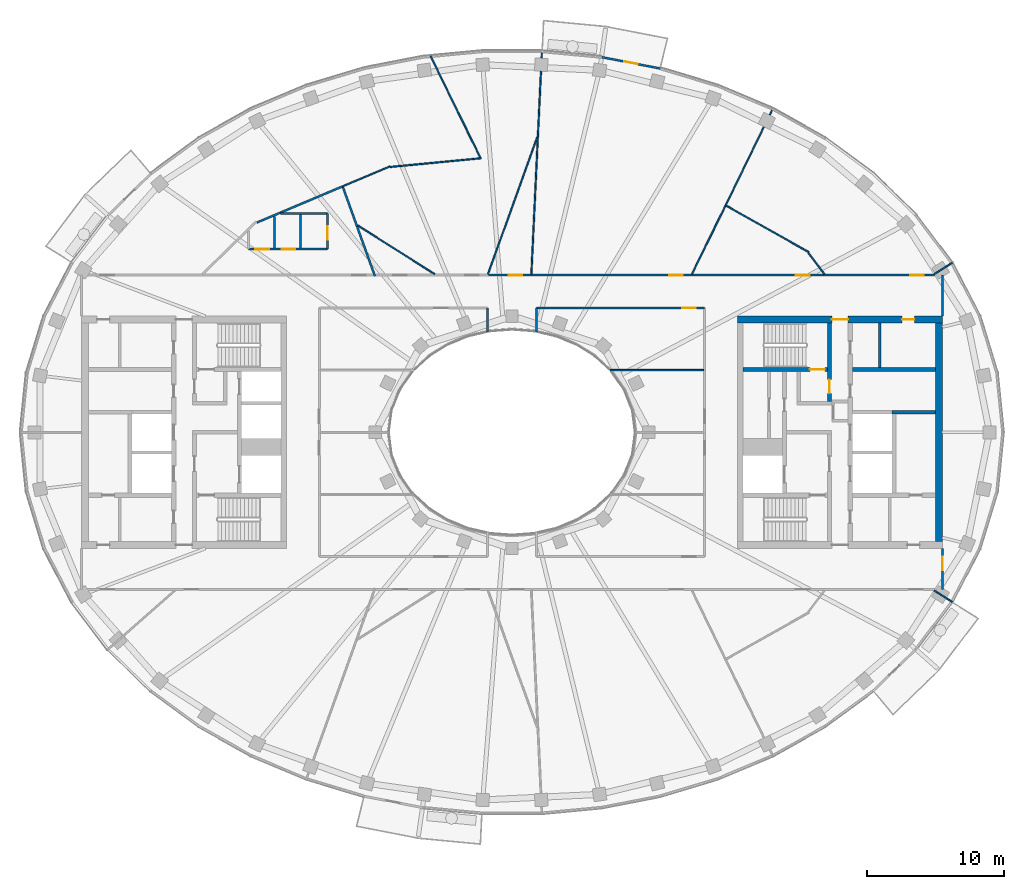
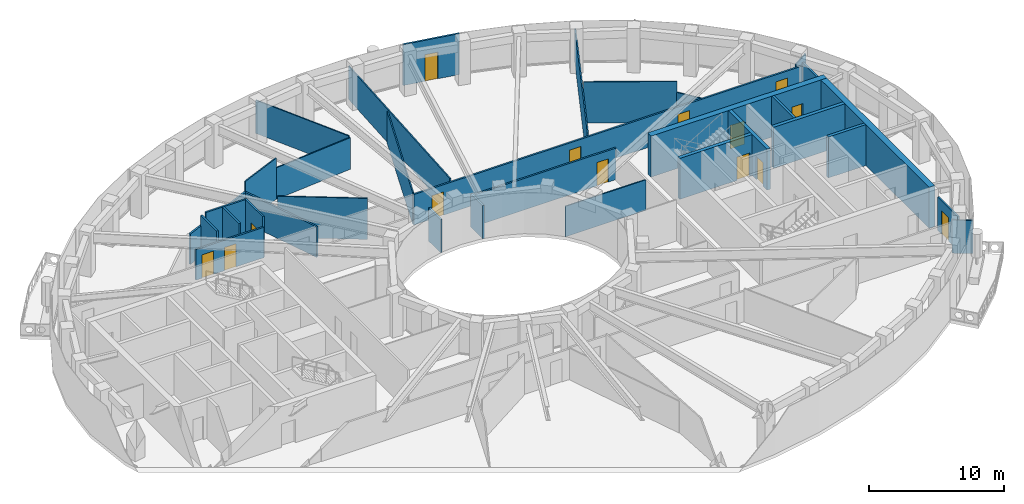
# One storey, part 6 of 16: 33 walls, 14 doors, 14 openings.
"""IFC4 building model written with IfcOpenShell, lengths in metres."""

import ifcopenshell
import ifcopenshell.guid

model = None  # the IFC model being written
_history = None  # IfcOwnerHistory: only IFC2X3 demands one
_inside = {}  # id of a spatial element -> (the spatial element, [elements in it])
_under = {}  # id of a project, library or spatial element -> (it, [spatial elements below it])
_declared = {}  # id of a project -> (the project, [libraries it declares])
_typed = {}  # id of a type object -> (the type object, [elements of that type])
_made_of = {}  # id of a material, layer set ... -> (it, [elements and type objects made of it])


def new_model(schema):
    """Start an empty IFC model of exactly this schema.

    Asked for "IFC4X3", IfcOpenShell would pick the latest addendum, in which some entities
    have other attributes; the version numbers below select the first issue.
    IFC2X3 requires an IfcOwnerHistory on every rooted entity: one is made here for all.
    """
    global model, _history
    if schema == "IFC4X3":
        model = ifcopenshell.file(schema_version=(4, 3, 0, 0))
    else:
        model = ifcopenshell.file(schema=schema)
    _inside.clear()
    _under.clear()
    _declared.clear()
    _typed.clear()
    _made_of.clear()
    _history = None
    if model.schema == "IFC2X3":
        org = make("IfcOrganization", Name="unknown")
        user = make(
            "IfcPersonAndOrganization",
            ThePerson=make("IfcPerson", FamilyName="unknown"),
            TheOrganization=org,
        )
        app = make(
            "IfcApplication",
            ApplicationDeveloper=org,
            Version="unknown",
            ApplicationFullName="unknown",
            ApplicationIdentifier="unknown",
        )
        _history = make(
            "IfcOwnerHistory",
            OwningUser=user,
            OwningApplication=app,
            ChangeAction="ADDED",
            CreationDate=0,
        )
    return model


def make(cls, **values):
    """One entity of the class cls with the attributes given. An attribute that is None is left unset."""
    return model.create_entity(
        cls, **{name: value for name, value in values.items() if value is not None}
    )


def rooted(cls, **values):
    """An entity with a GlobalId (a new one), such as an element, a storey or a relation."""
    return make(cls, GlobalId=ifcopenshell.guid.new(), OwnerHistory=_history, **values)


def si_unit(unit_type, name, prefix=None):
    """IfcSIUnit, for example si_unit("LENGTHUNIT", "METRE", prefix="MILLI")."""
    return make("IfcSIUnit", UnitType=unit_type, Prefix=prefix, Name=name)


def assignment(units):
    """IfcUnitAssignment: the units of a project."""
    return None if units is None else make("IfcUnitAssignment", Units=units)


def point(xyz):
    """IfcCartesianPoint."""
    return None if xyz is None else make("IfcCartesianPoint", Coordinates=xyz)


def direction(xyz):
    """IfcDirection."""
    return None if xyz is None else make("IfcDirection", DirectionRatios=xyz)


def frame(location, z_axis=None, x_axis=None):
    """IfcAxis2Placement3D, a coordinate frame: its origin and axes. An axis left out is left unset."""
    return make(
        "IfcAxis2Placement3D",
        Location=point(location),
        Axis=direction(z_axis),
        RefDirection=direction(x_axis),
    )


def frame_2d(location, x_axis=None):
    """IfcAxis2Placement2D, a coordinate frame in the plane: its origin and x axis."""
    return make(
        "IfcAxis2Placement2D", Location=point(location), RefDirection=direction(x_axis)
    )


def origin():
    """The frame at (0, 0, 0) with its axes left unset."""
    return frame((0.0, 0.0, 0.0))


def place(relative_to, where):
    """IfcLocalPlacement: puts the frame where relative to a parent placement (None: the world)."""
    return make(
        "IfcLocalPlacement", PlacementRelTo=relative_to, RelativePlacement=where
    )


def context(
    kind, dimensions, precision=None, world=None, true_north=None, identifier=None
):
    """IfcGeometricRepresentationContext, for example the 3D "Model" context."""
    return make(
        "IfcGeometricRepresentationContext",
        ContextIdentifier=identifier,
        ContextType=kind,
        CoordinateSpaceDimension=dimensions,
        Precision=precision,
        WorldCoordinateSystem=world,
        TrueNorth=true_north,
    )


def subcontext(parent, identifier, kind, view, scale=None):
    """IfcGeometricRepresentationSubContext, for example "Body" below "Model"."""
    return make(
        "IfcGeometricRepresentationSubContext",
        ContextIdentifier=identifier,
        ContextType=kind,
        ParentContext=parent,
        TargetScale=scale,
        TargetView=view,
    )


def project(units=None, contexts=None):
    """IfcProject with its units and contexts."""
    return rooted(
        "IfcProject",
        Name="project",
        RepresentationContexts=contexts,
        UnitsInContext=assignment(units),
    )


def spatial(cls, under=None, at=None, **own):
    """A site, building, storey or space (cls), placed at a placement, below another one or the project."""
    s = rooted(cls, ObjectPlacement=at, **own)
    if under is not None:
        _under.setdefault(under.id(), (under, []))[1].append(s)
    return s


def profile(cls, at=None, kind="AREA", **sizes):
    """A parametric profile (cls). Its sizes go by their IFC names, for example OverallWidth=200.0."""
    return make(cls, ProfileType=kind, Position=at, **sizes)


def rectangle(**sizes):
    """IfcRectangleProfileDef."""
    return profile("IfcRectangleProfileDef", **sizes)


def extrude(swept, where, along, depth):
    """IfcExtrudedAreaSolid: the profile swept, set in the frame where, extruded along a direction by depth."""
    return make(
        "IfcExtrudedAreaSolid",
        SweptArea=swept,
        Position=where,
        ExtrudedDirection=direction(along),
        Depth=depth,
    )


def shape(context_of_items, identifier, shape_type, items):
    """IfcShapeRepresentation: the items that make up one representation, for example the "Body"."""
    return make(
        "IfcShapeRepresentation",
        ContextOfItems=context_of_items,
        RepresentationIdentifier=identifier,
        RepresentationType=shape_type,
        Items=items,
    )


def material(Name=None, Category=None):
    """IfcMaterial."""
    return make("IfcMaterial", Name=Name, Category=Category)


def layer(
    of_material, thickness, ventilated=None, Name=None, Category=None, Priority=None
):
    """IfcMaterialLayer: one layer of a wall or slab, of a material (None: an air gap)."""
    return make(
        "IfcMaterialLayer",
        Material=of_material,
        LayerThickness=thickness,
        IsVentilated=ventilated,
        Name=Name,
        Category=Category,
        Priority=Priority,
    )


def layer_set(layers, Name=None):
    """IfcMaterialLayerSet."""
    return make("IfcMaterialLayerSet", MaterialLayers=layers, LayerSetName=Name)


def made_of(thing, what):
    """Note that an element or type object is made of a material, layer set ...; save() writes the relation."""
    if what is not None:
        _made_of.setdefault(what.id(), (what, []))[1].append(thing)
    return thing


def type_object(cls, material=None, **own):
    """A type object (cls), such as IfcWallType, which elements share."""
    return made_of(rooted(cls, **own), material)


def element(
    cls,
    number,
    at=None,
    inside=None,
    cuts=None,
    type_object=None,
    material=None,
    context=None,
    identifier="Body",
    shape_type=None,
    held_by="IfcProductDefinitionShape",
    body=None,
    shapes=None,
    **own,
):
    """One element of the class cls, such as IfcWall. Its Tag is "e" and its number.

    at: its placement. inside: the storey or other place that contains it. cuts: it is an
    opening in that element (IfcRelVoidsElement). A single representation is given by context,
    identifier, shape_type and body (its items); several are given by shapes. held_by: the class
    of the entity that holds the representations. save() writes the other relations.
    """
    e = rooted(cls, Tag="e%d" % number, ObjectPlacement=at, **own)
    if body is not None:
        shapes = [shape(context, identifier, shape_type, body)]
    if shapes is not None:
        e.Representation = make(held_by, Representations=shapes)
    if inside is not None:
        _inside.setdefault(inside.id(), (inside, []))[1].append(e)
    if cuts is not None:
        rooted(
            "IfcRelVoidsElement", RelatingBuildingElement=cuts, RelatedOpeningElement=e
        )
    if type_object is not None:
        _typed.setdefault(type_object.id(), (type_object, []))[1].append(e)
    return made_of(e, material)


def fill(opening, filler):
    """IfcRelFillsElement: the door or window that sits in an opening."""
    return rooted(
        "IfcRelFillsElement",
        RelatingOpeningElement=opening,
        RelatedBuildingElement=filler,
    )


def aggregate(whole, parts):
    """IfcRelAggregates: a whole, such as a stair, and the parts it consists of."""
    return rooted("IfcRelAggregates", RelatingObject=whole, RelatedObjects=parts)


def save(model, path):
    """Write the relations noted so far, then the file.

    IfcRelAggregates (storeys below a building ...), IfcRelContainedInSpatialStructure (elements
    in a storey), IfcRelDefinesByType, IfcRelAssociatesMaterial and IfcRelDeclares: one each for
    every whole, place, type object, material and project.
    """
    for whole, parts in _under.values():
        aggregate(whole, parts)
    for where, things in _inside.values():
        rooted(
            "IfcRelContainedInSpatialStructure",
            RelatedElements=things,
            RelatingStructure=where,
        )
    for kind, things in _typed.values():
        rooted("IfcRelDefinesByType", RelatedObjects=things, RelatingType=kind)
    for what, things in _made_of.values():
        rooted("IfcRelAssociatesMaterial", RelatedObjects=things, RelatingMaterial=what)
    for by, libraries in _declared.values():
        rooted("IfcRelDeclares", RelatingContext=by, RelatedDefinitions=libraries)
    model.write(path)


model = new_model("IFC4")

# Units and contexts
model_context = context("Model", 3, precision=1e-05, world=origin(), true_north=direction((0.0, 1.0)))
body_context = subcontext(model_context, "Body", "Model", "MODEL_VIEW")
ifc_project = project(units=[si_unit("LENGTHUNIT", "METRE"), si_unit("AREAUNIT", "SQUARE_METRE"), si_unit("VOLUMEUNIT", "CUBIC_METRE"), si_unit("PLANEANGLEUNIT", "RADIAN"), si_unit("MASSUNIT", "GRAM", prefix="KILO")], contexts=[model_context])

# Site, building, storey
site_placement = place(None, origin())
site = spatial("IfcSite", under=ifc_project, at=site_placement, CompositionType="ELEMENT")
building_placement = place(site_placement, origin())
building = spatial("IfcBuilding", under=site, at=building_placement, Name="Noorbagh Ring Tower", CompositionType="ELEMENT")
storey_placement = place(building_placement, frame((0.0, 0.0, 303.0)))
storey = spatial("IfcBuildingStorey", under=building, at=storey_placement, Name="L65", CompositionType="ELEMENT", Elevation=303.0)

# Walls
ifc_material_1 = material(Name="Gypsum board on steel studs", Category="steel")
ifc_layer_1 = layer(ifc_material_1, 0.199951171875)
ifc_layer_set_1 = layer_set([ifc_layer_1], Name="Gypsum board on steel studs")
wall_type_1 = type_object("IfcWallType", Name="CORE-PARTITION-200", PredefinedType="PARTITIONING", material=ifc_layer_set_1)
wall_1_placement = place(storey_placement, frame((26.89990234375, 4.75, 0.0), z_axis=(0.0, 0.0, 1.0), x_axis=(0.0, 1.0, 0.0)))
element("IfcWall", 1, at=wall_1_placement, inside=storey, type_object=wall_type_1, Name="Core partition E", PredefinedType="PARTITIONING", context=body_context, shape_type="SweptSolid", body=[
    extrude(rectangle(XDim=3.25, YDim=0.199951171875, at=frame_2d((1.625, 0.0))), origin(), (0.0, 0.0, 1.0), 3.699951171875),
])
ifc_material_2 = material(Name="Concrete C50/60", Category="concrete")
ifc_layer_2 = layer(ifc_material_2, 0.25)
ifc_layer_set_2 = layer_set([ifc_layer_2], Name="Concrete C50/60")
wall_type_2 = type_object("IfcWallType", Name="CORE-WALL-250-C50-60-EI120", PredefinedType="SHEAR", material=ifc_layer_set_2)
wall_2_placement = place(storey_placement, frame((27.800048828125, 1.47509765625, 0.0), z_axis=(0.0, 0.0, 1.0), x_axis=(1.0, 0.0, 0.0)))
element("IfcWall", 2, at=wall_2_placement, inside=storey, type_object=wall_type_2, Name="Core wall E", PredefinedType="SHEAR", context=body_context, shape_type="SweptSolid", body=[
    extrude(rectangle(XDim=3.199951171875, YDim=0.25, at=frame_2d((1.60009765625, 0.0))), origin(), (0.0, 0.0, 1.0), 3.699951171875),
])
ifc_material_3 = material(Name="Concrete C50/60", Category="concrete")
ifc_layer_3 = layer(ifc_material_3, 0.300048828125)
ifc_layer_set_3 = layer_set([ifc_layer_3], Name="Concrete C50/60")
wall_type_3 = type_object("IfcWallType", Name="CORE-WALL-300-C50-60-EI240", PredefinedType="SHEAR", material=ifc_layer_set_3)
wall_3_placement = place(storey_placement, frame((24.89990234375, 4.60009765625, 0.0), z_axis=(0.0, 0.0, 1.0), x_axis=(1.0, 0.0, 0.0)))
element("IfcWall", 3, at=wall_3_placement, inside=storey, type_object=wall_type_3, Name="Core wall E", PredefinedType="SHEAR", context=body_context, shape_type="SweptSolid", body=[
    extrude(rectangle(XDim=6.10009765625, YDim=0.300048828125, at=frame_2d((3.050048828125, 0.0))), origin(), (0.0, 0.0, 1.0), 3.699951171875),
])

# Wall, opening, door
wall_4_placement = place(storey_placement, frame((23.22998046875, 2.25, 0.0), z_axis=(0.0, 0.0, 1.0), x_axis=(0.0, 1.0, 0.0)))
wall_4 = element("IfcWall", 4, at=wall_4_placement, inside=storey, type_object=wall_type_3, Name="Core wall E", PredefinedType="SHEAR", context=body_context, shape_type="SweptSolid", body=[
    extrude(rectangle(XDim=5.75, YDim=0.300048828125, at=frame_2d((2.875, 0.0))), origin(), (0.0, 0.0, 1.0), 3.699951171875),
])
opening_1_placement = place(wall_4_placement, frame((0.60009765625, 0.0, 0.0)))
opening_1 = element("IfcOpeningElement", 5, at=opening_1_placement, cuts=wall_4, Name="Opening L65-CE07", PredefinedType="OPENING", context=body_context, shape_type="SweptSolid", body=[
    extrude(rectangle(XDim=1.0, YDim=2.10009765625, at=frame_2d((0.5, 1.050048828125))), frame((0.0, 0.16015625, 0.0), z_axis=(0.0, -1.0, 0.0), x_axis=(1.0, 0.0, 0.0)), (0.0, 0.0, 1.0), 0.320068359375),
])
ifc_material_4 = material(Name="Steel door leaf", Category="steel")
door_type_1 = type_object("IfcDoorType", Name="CORE-DOOR-DVEST", OperationType="SINGLE_SWING_LEFT", PredefinedType="DOOR", material=ifc_material_4)
door_1_placement = place(opening_1_placement, origin())
door_1 = element("IfcDoor", 6, at=door_1_placement, inside=storey, type_object=door_type_1, Name="Stair vestibule door L65-CE07", OperationType="SINGLE_SWING_RIGHT", OverallHeight=2.10009765625, OverallWidth=1.0, PredefinedType="DOOR", context=body_context, shape_type="SweptSolid", body=[
    extrude(rectangle(XDim=1.0, YDim=2.10009765625, at=frame_2d((0.5, 1.050048828125))), frame((0.0, 0.02490234375, 0.0), z_axis=(0.0, -1.0, 0.0), x_axis=(1.0, 0.0, 0.0)), (0.0, 0.0, 1.0), 0.050048828125),
])
fill(opening_1, door_1)

wall_5_placement = place(storey_placement, frame((16.89990234375, 4.60009765625, 0.0), z_axis=(0.0, 0.0, 1.0), x_axis=(1.0, 0.0, 0.0)))
wall_5 = element("IfcWall", 7, at=wall_5_placement, inside=storey, type_object=wall_type_3, Name="Core wall E", PredefinedType="SHEAR", context=body_context, shape_type="SweptSolid", body=[
    extrude(rectangle(XDim=6.18017578125, YDim=0.300048828125, at=frame_2d((3.090087890625, 0.0))), origin(), (0.0, 0.0, 1.0), 3.699951171875),
])
opening_2_placement = place(wall_5_placement, frame((4.89990234375, 0.0, 0.0)))
opening_2 = element("IfcOpeningElement", 8, at=opening_2_placement, cuts=wall_5, Name="Opening L65-CE04", PredefinedType="OPENING", context=body_context, shape_type="SweptSolid", body=[
    extrude(rectangle(XDim=1.10009765625, YDim=2.10009765625, at=frame_2d((0.550048828125, 1.050048828125))), frame((0.0, 0.16015625, 0.0), z_axis=(0.0, -1.0, 0.0), x_axis=(1.0, 0.0, 0.0)), (0.0, 0.0, 1.0), 0.320068359375),
])
ifc_material_5 = material(Name="Steel door leaf", Category="steel")
door_type_2 = type_object("IfcDoorType", Name="CORE-DOOR-DSTAIR", OperationType="SINGLE_SWING_LEFT", PredefinedType="DOOR", material=ifc_material_5)
door_2_placement = place(opening_2_placement, origin())
door_2 = element("IfcDoor", 9, at=door_2_placement, inside=storey, type_object=door_type_2, Name="Stair door ST3 L65-CE04", OperationType="SINGLE_SWING_LEFT", OverallHeight=2.10009765625, OverallWidth=1.10009765625, PredefinedType="DOOR", context=body_context, shape_type="SweptSolid", body=[
    extrude(rectangle(XDim=1.10009765625, YDim=2.10009765625, at=frame_2d((0.550048828125, 1.050048828125))), frame((0.0, 0.02490234375, 0.0), z_axis=(0.0, -1.0, 0.0), x_axis=(1.0, 0.0, 0.0)), (0.0, 0.0, 1.0), 0.050048828125),
])
fill(opening_2, door_2)

# Wall, openings, doors
ifc_material_6 = material(Name="Concrete C50/60", Category="concrete")
ifc_layer_4 = layer(ifc_material_6, 0.5)
ifc_layer_set_4 = layer_set([ifc_layer_4], Name="Concrete C50/60")
wall_type_4 = type_object("IfcWallType", Name="CORE-WALL-500-C50-60-EI240", PredefinedType="SHEAR", material=ifc_layer_set_4)
wall_6_placement = place(storey_placement, frame((16.5, 8.25, 0.0), z_axis=(0.0, 0.0, 1.0), x_axis=(1.0, 0.0, 0.0)))
wall_6 = element("IfcWall", 10, at=wall_6_placement, inside=storey, type_object=wall_type_4, Name="Core wall E", PredefinedType="SHEAR", context=body_context, shape_type="SweptSolid", body=[
    extrude(rectangle(XDim=15.0, YDim=0.5, at=frame_2d((7.5, 0.0))), origin(), (0.0, 0.0, 1.0), 3.699951171875),
])
opening_3_placement = place(wall_6_placement, frame((6.89990234375, 0.0, 0.0)))
opening_3 = element("IfcOpeningElement", 11, at=opening_3_placement, cuts=wall_6, Name="Opening L65-CE08", PredefinedType="OPENING", context=body_context, shape_type="SweptSolid", body=[
    extrude(rectangle(XDim=1.199951171875, YDim=2.10009765625, at=frame_2d((0.60009765625, 1.050048828125))), frame((0.0, 0.260009765625, 0.0), z_axis=(0.0, -1.0, 0.0), x_axis=(1.0, 0.0, 0.0)), (0.0, 0.0, 1.0), 0.52001953125),
])
opening_4_placement = place(wall_6_placement, frame((12.050048828125, 0.0, 0.0)))
opening_4 = element("IfcOpeningElement", 12, at=opening_4_placement, cuts=wall_6, Name="Opening L65-CE14", PredefinedType="OPENING", context=body_context, shape_type="SweptSolid", body=[
    extrude(rectangle(XDim=0.89990234375, YDim=2.10009765625, at=frame_2d((0.449951171875, 1.050048828125))), frame((0.0, 0.260009765625, 0.0), z_axis=(0.0, -1.0, 0.0), x_axis=(1.0, 0.0, 0.0)), (0.0, 0.0, 1.0), 0.52001953125),
])
ifc_material_7 = material(Name="Steel door leaf", Category="steel")
door_type_3 = type_object("IfcDoorType", Name="CORE-DOOR-DROOM", OperationType="SINGLE_SWING_LEFT", PredefinedType="DOOR", material=ifc_material_7)
door_3_placement = place(opening_4_placement, origin())
door_3 = element("IfcDoor", 13, at=door_3_placement, inside=storey, type_object=door_type_3, Name="Core room door L65-CE14", OperationType="SINGLE_SWING_LEFT", OverallHeight=2.10009765625, OverallWidth=0.89990234375, PredefinedType="DOOR", context=body_context, shape_type="SweptSolid", body=[
    extrude(rectangle(XDim=0.89990234375, YDim=2.10009765625, at=frame_2d((0.449951171875, 1.050048828125))), frame((0.0, 0.02490234375, 0.0), z_axis=(0.0, -1.0, 0.0), x_axis=(1.0, 0.0, 0.0)), (0.0, 0.0, 1.0), 0.050048828125),
])
fill(opening_4, door_3)
ifc_material_8 = material(Name="Steel door leaf", Category="steel")
door_type_4 = type_object("IfcDoorType", Name="CORE-DOOR-PORT", OperationType="DOUBLE_DOOR_DOUBLE_SWING", PredefinedType="DOOR", material=ifc_material_8)
door_4_placement = place(opening_3_placement, origin())
door_4 = element("IfcDoor", 14, at=door_4_placement, inside=storey, type_object=door_type_4, Name="Core entrance door L65-CE08", OperationType="DOUBLE_DOOR_DOUBLE_SWING", OverallHeight=2.10009765625, OverallWidth=1.199951171875, PredefinedType="DOOR", context=body_context, shape_type="SweptSolid", body=[
    extrude(rectangle(XDim=1.199951171875, YDim=2.10009765625, at=frame_2d((0.60009765625, 1.050048828125))), frame((0.0, 0.02490234375, 0.0), z_axis=(0.0, -1.0, 0.0), x_axis=(1.0, 0.0, 0.0)), (0.0, 0.0, 1.0), 0.050048828125),
])
fill(opening_3, door_4)

# Wall
wall_7_placement = place(storey_placement, frame((31.25, -8.0, 0.0), z_axis=(0.0, 0.0, 1.0), x_axis=(0.0, 1.0, 0.0)))
element("IfcWall", 15, at=wall_7_placement, inside=storey, type_object=wall_type_4, Name="Core wall E", PredefinedType="SHEAR", context=body_context, shape_type="SweptSolid", body=[
    extrude(rectangle(XDim=16.0, YDim=0.5, at=frame_2d((8.0, 0.0))), origin(), (0.0, 0.0, 1.0), 3.699951171875),
])

# Wall, openings, doors
ifc_material_9 = material(Name="Gypsum board on steel studs", Category="steel")
ifc_layer_5 = layer(ifc_material_9, 0.14990234375)
ifc_layer_set_5 = layer_set([ifc_layer_5], Name="Gypsum board on steel studs")
wall_type_5 = type_object("IfcWallType", Name="CORRIDOR PARTITION 150 EI 30", PredefinedType="PARTITIONING", material=ifc_layer_set_5)
wall_8_placement = place(storey_placement, frame((-19.291015625, 13.39990234375, 0.0), z_axis=(0.0, 0.0, 1.0), x_axis=(1.0, 0.0, 0.0)))
wall_8 = element("IfcWall", 16, at=wall_8_placement, inside=storey, type_object=wall_type_5, Name="L65/wall/P09", PredefinedType="PARTITIONING", context=body_context, shape_type="SweptSolid", body=[
    extrude(rectangle(XDim=5.800048828125, YDim=0.14990234375, at=frame_2d((2.89990234375, 0.0))), origin(), (0.0, 0.0, 1.0), 2.75),
])
opening_5_placement = place(wall_8_placement, frame((2.427978515625, 0.0, 0.0)))
opening_5 = element("IfcOpeningElement", 17, at=opening_5_placement, cuts=wall_8, Name="Opening D3", PredefinedType="OPENING", context=body_context, shape_type="SweptSolid", body=[
    extrude(rectangle(XDim=1.0, YDim=2.10009765625, at=frame_2d((0.5, 1.050048828125))), frame((0.0, 0.0849609375, 0.0), z_axis=(0.0, -1.0, 0.0), x_axis=(1.0, 0.0, 0.0)), (0.0, 0.0, 1.0), 0.169921875),
])
opening_6_placement = place(wall_8_placement, frame((0.513916015625, 0.0, 0.0)))
opening_6 = element("IfcOpeningElement", 18, at=opening_6_placement, cuts=wall_8, Name="Opening D3", PredefinedType="OPENING", context=body_context, shape_type="SweptSolid", body=[
    extrude(rectangle(XDim=1.0, YDim=2.10009765625, at=frame_2d((0.5, 1.050048828125))), frame((0.0, 0.0849609375, 0.0), z_axis=(0.0, -1.0, 0.0), x_axis=(1.0, 0.0, 0.0)), (0.0, 0.0, 1.0), 0.169921875),
])
ifc_material_10 = material(Name="Timber, painted", Category="wood")
door_type_5 = type_object("IfcDoorType", Name="DOOR 1000 X 2100 WC", OperationType="SINGLE_SWING_LEFT", PredefinedType="DOOR", material=ifc_material_10)
door_5_placement = place(opening_5_placement, origin())
door_5 = element("IfcDoor", 19, at=door_5_placement, inside=storey, type_object=door_type_5, Name="L65-D03", OperationType="SINGLE_SWING_LEFT", OverallHeight=2.10009765625, OverallWidth=1.0, PredefinedType="DOOR", context=body_context, shape_type="SweptSolid", body=[
    extrude(rectangle(XDim=1.0, YDim=2.10009765625, at=frame_2d((0.5, 1.050048828125))), frame((0.0, 0.02490234375, 0.0), z_axis=(0.0, -1.0, 0.0), x_axis=(1.0, 0.0, 0.0)), (0.0, 0.0, 1.0), 0.050048828125),
])
fill(opening_5, door_5)
door_6_placement = place(opening_6_placement, origin())
door_6 = element("IfcDoor", 20, at=door_6_placement, inside=storey, type_object=door_type_5, Name="L65-D04", OperationType="SINGLE_SWING_RIGHT", OverallHeight=2.10009765625, OverallWidth=1.0, PredefinedType="DOOR", context=body_context, shape_type="SweptSolid", body=[
    extrude(rectangle(XDim=1.0, YDim=2.10009765625, at=frame_2d((0.5, 1.050048828125))), frame((0.0, 0.02490234375, 0.0), z_axis=(0.0, -1.0, 0.0), x_axis=(1.0, 0.0, 0.0)), (0.0, 0.0, 1.0), 0.050048828125),
])
fill(opening_6, door_6)

# Walls
wall_9_placement = place(storey_placement, frame((-18.6689453125, 15.35009765625, 0.0), z_axis=(0.0, 0.0, 1.0), x_axis=(0.9212963597, 0.388861180376, 0.0)))
element("IfcWall", 21, at=wall_9_placement, inside=storey, type_object=wall_type_5, Name="L65/wall/P10", PredefinedType="PARTITIONING", context=body_context, shape_type="SweptSolid", body=[
    extrude(rectangle(XDim=6.81201171875, YDim=0.14990234375, at=frame_2d((3.406005859375, 0.0))), origin(), (0.0, 0.0, 1.0), 2.75),
])
wall_10_placement = place(storey_placement, frame((-17.376953125, 13.47509765625, 0.0), z_axis=(0.0, 0.0, 1.0), x_axis=(0.0, 1.0, 0.0)))
element("IfcWall", 22, at=wall_10_placement, inside=storey, type_object=wall_type_5, Name="L65/wall/P11", PredefinedType="PARTITIONING", context=body_context, shape_type="SweptSolid", body=[
    extrude(rectangle(XDim=2.3349609375, YDim=0.14990234375, at=frame_2d((1.16748046875, 0.0))), origin(), (0.0, 0.0, 1.0), 3.699951171875),
])
wall_11_placement = place(storey_placement, frame((-16.931884765625, 16.0, 0.0), z_axis=(0.0, 0.0, 1.0), x_axis=(1.0, 0.0, 0.0)))
element("IfcWall", 23, at=wall_11_placement, inside=storey, type_object=wall_type_5, Name="L65/wall/P12", PredefinedType="PARTITIONING", context=body_context, shape_type="SweptSolid", body=[
    extrude(rectangle(XDim=3.436767578125, YDim=0.14990234375, at=frame_2d((1.71826171875, 0.0))), origin(), (0.0, 0.0, 1.0), 3.699951171875),
])
wall_12_placement = place(storey_placement, frame((-15.462890625, 13.47509765625, 0.0), z_axis=(0.0, 0.0, 1.0), x_axis=(0.0, 1.0, 0.0)))
element("IfcWall", 24, at=wall_12_placement, inside=storey, type_object=wall_type_5, Name="L65/wall/P13", PredefinedType="PARTITIONING", context=body_context, shape_type="SweptSolid", body=[
    extrude(rectangle(XDim=2.449951171875, YDim=0.14990234375, at=frame_2d((1.22509765625, 0.0))), origin(), (0.0, 0.0, 1.0), 3.699951171875),
])

# Wall, opening, door
wall_13_placement = place(storey_placement, frame((-13.490966796875, 13.39990234375, 0.0), z_axis=(0.0, 0.0, 1.0), x_axis=(0.0, 1.0, 0.0)))
wall_13 = element("IfcWall", 25, at=wall_13_placement, inside=storey, type_object=wall_type_5, Name="L65/wall/P21", PredefinedType="PARTITIONING", context=body_context, shape_type="SweptSolid", body=[
    extrude(rectangle(XDim=2.59619140625, YDim=0.14990234375, at=frame_2d((1.298095703125, 0.0))), origin(), (0.0, 0.0, 1.0), 3.699951171875),
])
opening_7_placement = place(wall_13_placement, frame((0.696044921875, 0.0, 0.0)))
opening_7 = element("IfcOpeningElement", 26, at=opening_7_placement, cuts=wall_13, Name="Opening D3", PredefinedType="OPENING", context=body_context, shape_type="SweptSolid", body=[
    extrude(rectangle(XDim=1.0, YDim=2.10009765625, at=frame_2d((0.5, 1.050048828125))), frame((0.0, 0.0849609375, 0.0), z_axis=(0.0, -1.0, 0.0), x_axis=(1.0, 0.0, 0.0)), (0.0, 0.0, 1.0), 0.169921875),
])
door_7_placement = place(opening_7_placement, origin())
door_7 = element("IfcDoor", 27, at=door_7_placement, inside=storey, type_object=door_type_5, Name="L65-D02", OperationType="SINGLE_SWING_RIGHT", OverallHeight=2.10009765625, OverallWidth=1.0, PredefinedType="DOOR", context=body_context, shape_type="SweptSolid", body=[
    extrude(rectangle(XDim=1.0, YDim=2.10009765625, at=frame_2d((0.5, 1.050048828125))), frame((0.0, 0.02490234375, 0.0), z_axis=(0.0, -1.0, 0.0), x_axis=(1.0, 0.0, 0.0)), (0.0, 0.0, 1.0), 0.050048828125),
])
fill(opening_7, door_7)

# Walls
wall_14_placement = place(storey_placement, frame((-12.39306640625, 17.9990234375, 0.0), z_axis=(0.0, 0.0, 1.0), x_axis=(0.338565934799, -0.94094266977, 0.0)))
element("IfcWall", 28, at=wall_14_placement, inside=storey, type_object=wall_type_5, Name="L65/wall/P22", PredefinedType="PARTITIONING", context=body_context, shape_type="SweptSolid", body=[
    extrude(rectangle(XDim=6.982421875, YDim=0.14990234375, at=frame_2d((3.4912109375, 0.0))), origin(), (0.0, 0.0, 1.0), 2.75),
])
wall_15_placement = place(storey_placement, frame((-1.800048828125, 7.3359375, 0.0), z_axis=(0.0, 0.0, 1.0), x_axis=(0.0, 1.0, 0.0)))
element("IfcWall", 29, at=wall_15_placement, inside=storey, type_object=wall_type_5, Name="L65/wall/P31", PredefinedType="PARTITIONING", context=body_context, shape_type="SweptSolid", body=[
    extrude(rectangle(XDim=1.76416015625, YDim=0.14990234375, at=frame_2d((0.882080078125, 0.0))), origin(), (0.0, 0.0, 1.0), 3.0),
])

# Wall, openings, doors
wall_16_placement = place(storey_placement, frame((-1.77392578125, 11.5, 0.0), z_axis=(0.0, 0.0, 1.0), x_axis=(1.0, 0.0, 0.0)))
wall_16 = element("IfcWall", 30, at=wall_16_placement, inside=storey, type_object=wall_type_5, Name="L65/wall/P35", PredefinedType="PARTITIONING", context=body_context, shape_type="SweptSolid", body=[
    extrude(rectangle(XDim=33.27392578125, YDim=0.14990234375, at=frame_2d((16.636962890625, 0.0))), origin(), (0.0, 0.0, 1.0), 2.75),
])
opening_8_placement = place(wall_16_placement, frame((1.531982421875, 0.0, 0.0)))
opening_8 = element("IfcOpeningElement", 31, at=opening_8_placement, cuts=wall_16, Name="Opening D1", PredefinedType="OPENING", context=body_context, shape_type="SweptSolid", body=[
    extrude(rectangle(XDim=1.0, YDim=2.10009765625, at=frame_2d((0.5, 1.050048828125))), frame((0.0, 0.0849609375, 0.0), z_axis=(0.0, -1.0, 0.0), x_axis=(1.0, 0.0, 0.0)), (0.0, 0.0, 1.0), 0.169921875),
])
opening_9_placement = place(wall_16_placement, frame((13.261962890625, 0.0, 0.0)))
opening_9 = element("IfcOpeningElement", 32, at=opening_9_placement, cuts=wall_16, Name="Opening D1", PredefinedType="OPENING", context=body_context, shape_type="SweptSolid", body=[
    extrude(rectangle(XDim=1.0, YDim=2.10009765625, at=frame_2d((0.5, 1.050048828125))), frame((0.0, 0.0849609375, 0.0), z_axis=(0.0, -1.0, 0.0), x_axis=(1.0, 0.0, 0.0)), (0.0, 0.0, 1.0), 0.169921875),
])
opening_10_placement = place(wall_16_placement, frame((22.548095703125, 0.0, 0.0)))
opening_10 = element("IfcOpeningElement", 33, at=opening_10_placement, cuts=wall_16, Name="Opening D1", PredefinedType="OPENING", context=body_context, shape_type="SweptSolid", body=[
    extrude(rectangle(XDim=1.0, YDim=2.10009765625, at=frame_2d((0.5, 1.050048828125))), frame((0.0, 0.0849609375, 0.0), z_axis=(0.0, -1.0, 0.0), x_axis=(1.0, 0.0, 0.0)), (0.0, 0.0, 1.0), 0.169921875),
])
opening_11_placement = place(wall_16_placement, frame((30.907958984375, 0.0, 0.0)))
opening_11 = element("IfcOpeningElement", 34, at=opening_11_placement, cuts=wall_16, Name="Opening D1", PredefinedType="OPENING", context=body_context, shape_type="SweptSolid", body=[
    extrude(rectangle(XDim=1.0, YDim=2.10009765625, at=frame_2d((0.5, 1.050048828125))), frame((0.0, 0.0849609375, 0.0), z_axis=(0.0, -1.0, 0.0), x_axis=(1.0, 0.0, 0.0)), (0.0, 0.0, 1.0), 0.169921875),
])
ifc_material_11 = material(Name="Timber, painted", Category="wood")
door_type_6 = type_object("IfcDoorType", Name="DOOR 1000 X 2100 FD30", OperationType="SINGLE_SWING_LEFT", PredefinedType="DOOR", material=ifc_material_11)
door_8_placement = place(opening_8_placement, origin())
door_8 = element("IfcDoor", 35, at=door_8_placement, inside=storey, type_object=door_type_6, Name="L65-D13", OperationType="SINGLE_SWING_LEFT", OverallHeight=2.10009765625, OverallWidth=1.0, PredefinedType="DOOR", context=body_context, shape_type="SweptSolid", body=[
    extrude(rectangle(XDim=1.0, YDim=2.10009765625, at=frame_2d((0.5, 1.050048828125))), frame((0.0, 0.02490234375, 0.0), z_axis=(0.0, -1.0, 0.0), x_axis=(1.0, 0.0, 0.0)), (0.0, 0.0, 1.0), 0.050048828125),
])
fill(opening_8, door_8)
door_9_placement = place(opening_9_placement, origin())
door_9 = element("IfcDoor", 36, at=door_9_placement, inside=storey, type_object=door_type_6, Name="L65-D15", OperationType="SINGLE_SWING_LEFT", OverallHeight=2.10009765625, OverallWidth=1.0, PredefinedType="DOOR", context=body_context, shape_type="SweptSolid", body=[
    extrude(rectangle(XDim=1.0, YDim=2.10009765625, at=frame_2d((0.5, 1.050048828125))), frame((0.0, 0.02490234375, 0.0), z_axis=(0.0, -1.0, 0.0), x_axis=(1.0, 0.0, 0.0)), (0.0, 0.0, 1.0), 0.050048828125),
])
fill(opening_9, door_9)
door_10_placement = place(opening_10_placement, origin())
door_10 = element("IfcDoor", 37, at=door_10_placement, inside=storey, type_object=door_type_6, Name="L65-D17", OperationType="SINGLE_SWING_LEFT", OverallHeight=2.10009765625, OverallWidth=1.0, PredefinedType="DOOR", context=body_context, shape_type="SweptSolid", body=[
    extrude(rectangle(XDim=1.0, YDim=2.10009765625, at=frame_2d((0.5, 1.050048828125))), frame((0.0, 0.02490234375, 0.0), z_axis=(0.0, -1.0, 0.0), x_axis=(1.0, 0.0, 0.0)), (0.0, 0.0, 1.0), 0.050048828125),
])
fill(opening_10, door_10)
door_11_placement = place(opening_11_placement, origin())
door_11 = element("IfcDoor", 38, at=door_11_placement, inside=storey, type_object=door_type_6, Name="L65-D19", OperationType="SINGLE_SWING_LEFT", OverallHeight=2.10009765625, OverallWidth=1.0, PredefinedType="DOOR", context=body_context, shape_type="SweptSolid", body=[
    extrude(rectangle(XDim=1.0, YDim=2.10009765625, at=frame_2d((0.5, 1.050048828125))), frame((0.0, 0.02490234375, 0.0), z_axis=(0.0, -1.0, 0.0), x_axis=(1.0, 0.0, 0.0)), (0.0, 0.0, 1.0), 0.050048828125),
])
fill(opening_11, door_11)

# Wall
wall_17_placement = place(storey_placement, frame((1.800048828125, 7.3359375, 0.0), z_axis=(0.0, 0.0, 1.0), x_axis=(0.0, 1.0, 0.0)))
element("IfcWall", 39, at=wall_17_placement, inside=storey, type_object=wall_type_5, Name="L65/wall/P40", PredefinedType="PARTITIONING", context=body_context, shape_type="SweptSolid", body=[
    extrude(rectangle(XDim=1.76416015625, YDim=0.14990234375, at=frame_2d((0.882080078125, 0.0))), origin(), (0.0, 0.0, 1.0), 3.0),
])

# Wall, opening, door
wall_18_placement = place(storey_placement, frame((1.800048828125, 9.10009765625, 0.0), z_axis=(0.0, 0.0, 1.0), x_axis=(1.0, 0.0, 0.0)))
wall_18 = element("IfcWall", 40, at=wall_18_placement, inside=storey, type_object=wall_type_5, Name="L65/wall/P41", PredefinedType="PARTITIONING", context=body_context, shape_type="SweptSolid", body=[
    extrude(rectangle(XDim=12.300048828125, YDim=0.14990234375, at=frame_2d((6.14990234375, 0.0))), origin(), (0.0, 0.0, 1.0), 2.85009765625),
])
opening_12_placement = place(wall_18_placement, frame((10.64990234375, 0.0, 0.0)))
opening_12 = element("IfcOpeningElement", 41, at=opening_12_placement, cuts=wall_18, Name="Opening D1", PredefinedType="OPENING", context=body_context, shape_type="SweptSolid", body=[
    extrude(rectangle(XDim=1.0, YDim=2.10009765625, at=frame_2d((0.5, 1.050048828125))), frame((0.0, 0.0849609375, 0.0), z_axis=(0.0, -1.0, 0.0), x_axis=(1.0, 0.0, 0.0)), (0.0, 0.0, 1.0), 0.169921875),
])
door_12_placement = place(opening_12_placement, origin())
door_12 = element("IfcDoor", 42, at=door_12_placement, inside=storey, type_object=door_type_6, Name="L65-D26", OperationType="SINGLE_SWING_RIGHT", OverallHeight=2.10009765625, OverallWidth=1.0, PredefinedType="DOOR", context=body_context, shape_type="SweptSolid", body=[
    extrude(rectangle(XDim=1.0, YDim=2.10009765625, at=frame_2d((0.5, 1.050048828125))), frame((0.0, 0.02490234375, 0.0), z_axis=(0.0, -1.0, 0.0), x_axis=(1.0, 0.0, 0.0)), (0.0, 0.0, 1.0), 0.050048828125),
])
fill(opening_12, door_12)

wall_19_placement = place(storey_placement, frame((31.5, -11.5, 0.0), z_axis=(0.0, 0.0, 1.0), x_axis=(0.0, 1.0, 0.0)))
wall_19 = element("IfcWall", 43, at=wall_19_placement, inside=storey, type_object=wall_type_5, Name="L65/wall/P55", PredefinedType="PARTITIONING", context=body_context, shape_type="SweptSolid", body=[
    extrude(rectangle(XDim=3.0, YDim=0.14990234375, at=frame_2d((1.5, 0.0))), origin(), (0.0, 0.0, 1.0), 3.0),
])
opening_13_placement = place(wall_19_placement, frame((1.39990234375, 0.0, 0.0)))
opening_13 = element("IfcOpeningElement", 44, at=opening_13_placement, cuts=wall_19, Name="Opening D1", PredefinedType="OPENING", context=body_context, shape_type="SweptSolid", body=[
    extrude(rectangle(XDim=1.0, YDim=2.10009765625, at=frame_2d((0.5, 1.050048828125))), frame((0.0, 0.0849609375, 0.0), z_axis=(0.0, -1.0, 0.0), x_axis=(1.0, 0.0, 0.0)), (0.0, 0.0, 1.0), 0.169921875),
])
door_13_placement = place(opening_13_placement, origin())
door_13 = element("IfcDoor", 45, at=door_13_placement, inside=storey, type_object=door_type_6, Name="L65-D20", OperationType="SINGLE_SWING_RIGHT", OverallHeight=2.10009765625, OverallWidth=1.0, PredefinedType="DOOR", context=body_context, shape_type="SweptSolid", body=[
    extrude(rectangle(XDim=1.0, YDim=2.10009765625, at=frame_2d((0.5, 1.050048828125))), frame((0.0, 0.02490234375, 0.0), z_axis=(0.0, -1.0, 0.0), x_axis=(1.0, 0.0, 0.0)), (0.0, 0.0, 1.0), 0.050048828125),
])
fill(opening_13, door_13)

# Wall
wall_20_placement = place(storey_placement, frame((31.5, 8.5, 0.0), z_axis=(0.0, 0.0, 1.0), x_axis=(0.0, 1.0, 0.0)))
element("IfcWall", 46, at=wall_20_placement, inside=storey, type_object=wall_type_5, Name="L65/wall/P56", PredefinedType="PARTITIONING", context=body_context, shape_type="SweptSolid", body=[
    extrude(rectangle(XDim=3.0, YDim=0.14990234375, at=frame_2d((1.5, 0.0))), origin(), (0.0, 0.0, 1.0), 3.0),
])

# Wall, opening, door
ifc_material_12 = material(Name="Insulated aluminium clad panel", Category="aluminium")
ifc_layer_6 = layer(ifc_material_12, 0.14990234375)
ifc_layer_set_6 = layer_set([ifc_layer_6], Name="Insulated aluminium clad panel")
wall_type_6 = type_object("IfcWallType", Name="ENV-WALL-DOOR", PredefinedType="STANDARD", material=ifc_layer_set_6)
wall_21_placement = place(storey_placement, frame((10.87060546875, 26.616943359375, 0.0), z_axis=(0.0, 0.0, 1.0), x_axis=(-0.981631174778, 0.190788460615, 0.0)))
wall_21 = element("IfcWall", 47, at=wall_21_placement, inside=storey, type_object=wall_type_6, Name="Balcony door wall chord 10", PredefinedType="STANDARD", context=body_context, shape_type="SweptSolid", body=[
    extrude(rectangle(XDim=4.42626953125, YDim=0.14990234375, at=frame_2d((2.213134765625, 0.0))), origin(), (0.0, 0.0, 1.0), 3.699951171875),
])
opening_14_placement = place(wall_21_placement, frame((1.713134765625, 0.0, 0.0)))
opening_14 = element("IfcOpeningElement", 48, at=opening_14_placement, cuts=wall_21, Name="Opening D-BL", PredefinedType="OPENING", context=body_context, shape_type="SweptSolid", body=[
    extrude(rectangle(XDim=1.0, YDim=2.39990234375, at=frame_2d((0.5, 1.199951171875))), frame((0.0, 0.0849609375, 0.0), z_axis=(0.0, -1.0, 0.0), x_axis=(1.0, 0.0, 0.0)), (0.0, 0.0, 1.0), 0.169921875),
])
ifc_material_13 = material(Name="Aluminium and glass", Category="aluminium")
door_type_7 = type_object("IfcDoorType", Name="ENV-DOOR-BALCONY", OperationType="SINGLE_SWING_LEFT", PredefinedType="DOOR", material=ifc_material_13)
door_14_placement = place(opening_14_placement, origin())
door_14 = element("IfcDoor", 49, at=door_14_placement, inside=storey, type_object=door_type_7, Name="Balcony door chord 10", OperationType="SINGLE_SWING_RIGHT", OverallHeight=2.39990234375, OverallWidth=1.0, PredefinedType="DOOR", context=body_context, shape_type="SweptSolid", body=[
    extrude(rectangle(XDim=1.0, YDim=2.39990234375, at=frame_2d((0.5, 1.199951171875))), frame((0.0, 0.02490234375, 0.0), z_axis=(0.0, -1.0, 0.0), x_axis=(1.0, 0.0, 0.0)), (0.0, 0.0, 1.0), 0.050048828125),
])
fill(opening_14, door_14)

# Walls
ifc_material_14 = material(Name="Gypsum board on steel studs", Category="steel")
ifc_layer_7 = layer(ifc_material_14, 0.10009765625)
ifc_layer_set_7 = layer_set([ifc_layer_7], Name="Gypsum board on steel studs")
wall_type_7 = type_object("IfcWallType", Name="PARTITION 100 GYPSUM", PredefinedType="PARTITIONING", material=ifc_layer_set_7)
wall_22_placement = place(storey_placement, frame((-12.39306640625, 17.9990234375, 0.0), z_axis=(0.0, 0.0, 1.0), x_axis=(0.921243349635, 0.388986748816, 0.0)))
element("IfcWall", 50, at=wall_22_placement, inside=storey, type_object=wall_type_7, Name="L65/wall/P23", PredefinedType="PARTITIONING", context=body_context, shape_type="SweptSolid", body=[
    extrude(rectangle(XDim=3.755859375, YDim=0.10009765625, at=frame_2d((1.8779296875, 0.0))), origin(), (0.0, 0.0, 1.0), 3.699951171875),
])
wall_23_placement = place(storey_placement, frame((-11.284912109375, 15.139892578125, 0.0), z_axis=(0.0, 0.0, 1.0), x_axis=(0.844821283955, -0.535048594219, 0.0)))
element("IfcWall", 51, at=wall_23_placement, inside=storey, type_object=wall_type_7, Name="L65/wall/P25", PredefinedType="PARTITIONING", context=body_context, shape_type="SweptSolid", body=[
    extrude(rectangle(XDim=6.662841796875, YDim=0.10009765625, at=frame_2d((3.33154296875, 0.0))), origin(), (0.0, 0.0, 1.0), 3.699951171875),
])
wall_24_placement = place(storey_placement, frame((-8.923095703125, 19.41796875, 0.0), z_axis=(0.0, 0.0, 1.0), x_axis=(0.995454324827, 0.095240155306, 0.0)))
element("IfcWall", 52, at=wall_24_placement, inside=storey, type_object=wall_type_7, Name="L65/wall/P28", PredefinedType="PARTITIONING", context=body_context, shape_type="SweptSolid", body=[
    extrude(rectangle(XDim=6.70849609375, YDim=0.10009765625, at=frame_2d((3.354248046875, 0.0))), origin(), (0.0, 0.0, 1.0), 2.85009765625),
])
wall_25_placement = place(storey_placement, frame((-5.9580078125, 27.5380859375, 0.0), z_axis=(0.0, 0.0, 1.0), x_axis=(0.439269892729, -0.898355142102, 0.0)))
element("IfcWall", 53, at=wall_25_placement, inside=storey, type_object=wall_type_7, Name="L65/wall/P29", PredefinedType="PARTITIONING", context=body_context, shape_type="SweptSolid", body=[
    extrude(rectangle(XDim=8.279541015625, YDim=0.10009765625, at=frame_2d((4.1396484375, 0.0))), origin(), (0.0, 0.0, 1.0), 3.0),
])
wall_26_placement = place(storey_placement, frame((-1.757080078125, 11.5791015625, 0.0), z_axis=(0.0, 0.0, 1.0), x_axis=(0.338365558832, 0.941014744091, 0.0)))
element("IfcWall", 54, at=wall_26_placement, inside=storey, type_object=wall_type_7, Name="L65/wall/P33", PredefinedType="PARTITIONING", context=body_context, shape_type="SweptSolid", body=[
    extrude(rectangle(XDim=10.651123046875, YDim=0.10009765625, at=frame_2d((5.32568359375, 0.0))), origin(), (0.0, 0.0, 1.0), 2.85009765625),
])
wall_27_placement = place(storey_placement, frame((1.416015625, 11.58203125, 0.0), z_axis=(0.0, 0.0, 1.0), x_axis=(0.047380514939, 0.99887691274, 0.0)))
element("IfcWall", 55, at=wall_27_placement, inside=storey, type_object=wall_type_7, Name="L65/wall/P37", PredefinedType="PARTITIONING", context=body_context, shape_type="SweptSolid", body=[
    extrude(rectangle(XDim=16.334228515625, YDim=0.10009765625, at=frame_2d((8.1669921875, 0.0))), origin(), (0.0, 0.0, 1.0), 3.0),
])
wall_28_placement = place(storey_placement, frame((7.174072265625, 4.550048828125, 0.0), z_axis=(0.0, 0.0, 1.0), x_axis=(1.0, 0.0, 0.0)))
element("IfcWall", 56, at=wall_28_placement, inside=storey, type_object=wall_type_7, Name="L65/wall/P44", PredefinedType="PARTITIONING", context=body_context, shape_type="SweptSolid", body=[
    extrude(rectangle(XDim=6.850830078125, YDim=0.10009765625, at=frame_2d((3.42529296875, 0.0))), origin(), (0.0, 0.0, 1.0), 2.75),
])
wall_29_placement = place(storey_placement, frame((13.16796875, 11.5791015625, 0.0), z_axis=(0.0, 0.0, 1.0), x_axis=(0.439180235984, 0.898398976135, 0.0)))
element("IfcWall", 57, at=wall_29_placement, inside=storey, type_object=wall_type_7, Name="L65/wall/P47", PredefinedType="PARTITIONING", context=body_context, shape_type="SweptSolid", body=[
    extrude(rectangle(XDim=13.47509765625, YDim=0.10009765625, at=frame_2d((6.737548828125, 0.0))), origin(), (0.0, 0.0, 1.0), 3.0),
])
wall_30_placement = place(storey_placement, frame((15.673095703125, 16.589111328125, 0.0), z_axis=(0.0, 0.0, 1.0), x_axis=(0.871190555515, -0.490945023381, 0.0)))
element("IfcWall", 58, at=wall_30_placement, inside=storey, type_object=wall_type_7, Name="L65/wall/P50", PredefinedType="PARTITIONING", context=body_context, shape_type="SweptSolid", body=[
    extrude(rectangle(XDim=6.931640625, YDim=0.10009765625, at=frame_2d((3.4658203125, 0.0))), origin(), (0.0, 0.0, 1.0), 3.699951171875),
])
wall_31_placement = place(storey_placement, frame((21.678955078125, 13.14794921875, 0.0), z_axis=(0.0, 0.0, 1.0), x_axis=(0.602755856466, -0.797925671661, 0.0)))
element("IfcWall", 59, at=wall_31_placement, inside=storey, type_object=wall_type_7, Name="L65/wall/P52", PredefinedType="PARTITIONING", context=body_context, shape_type="SweptSolid", body=[
    extrude(rectangle(XDim=1.9677734375, YDim=0.10009765625, at=frame_2d((0.98388671875, 0.0))), origin(), (0.0, 0.0, 1.0), 2.75),
])
for number, where, z_axis, x_axis, name in (
    (60, (30.89697265625, -11.574951171875, 0.0), (0.0, 0.0, 1.0), (0.844757626245, -0.535149094086, 0.0), "L65/wall/P53"),
    (61, (30.89697265625, 11.574951171875, 0.0), (0.0, 0.0, 1.0), (0.844757626245, 0.535149094086, 0.0), "L65/wall/P54"),
):
    element("IfcWall", number, at=place(storey_placement, frame(where, z_axis=z_axis, x_axis=x_axis)), inside=storey, type_object=wall_type_7, Name=name, PredefinedType="PARTITIONING", context=body_context, shape_type="SweptSolid", body=[
        extrude(rectangle(XDim=1.556640625, YDim=0.10009765625, at=frame_2d((0.7783203125, 0.0))), origin(), (0.0, 0.0, 1.0), 3.0),
    ])

save(model, "model.ifc")
